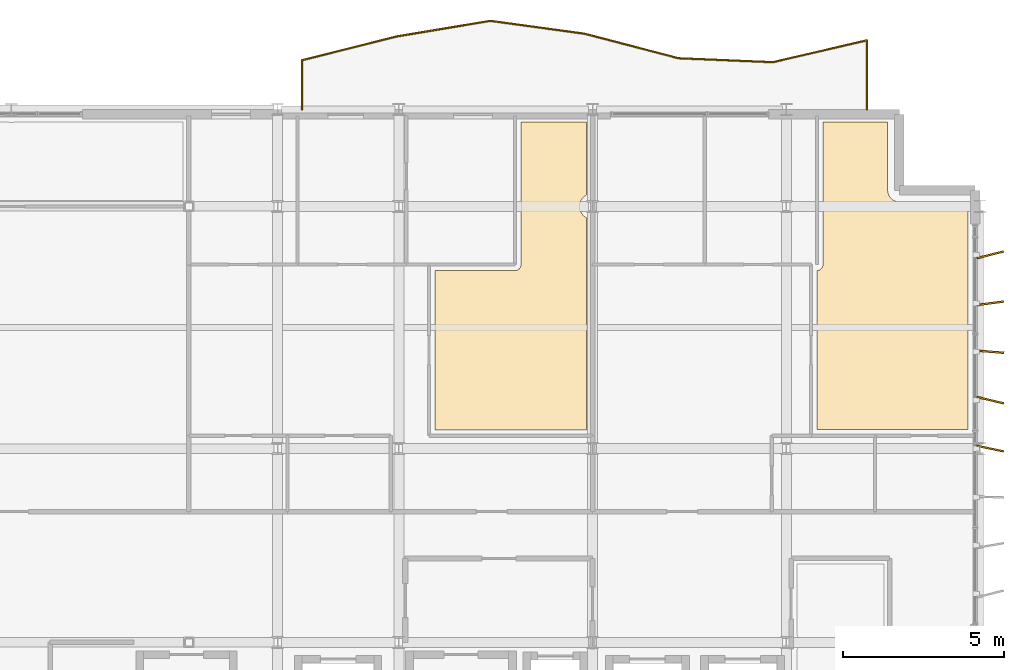
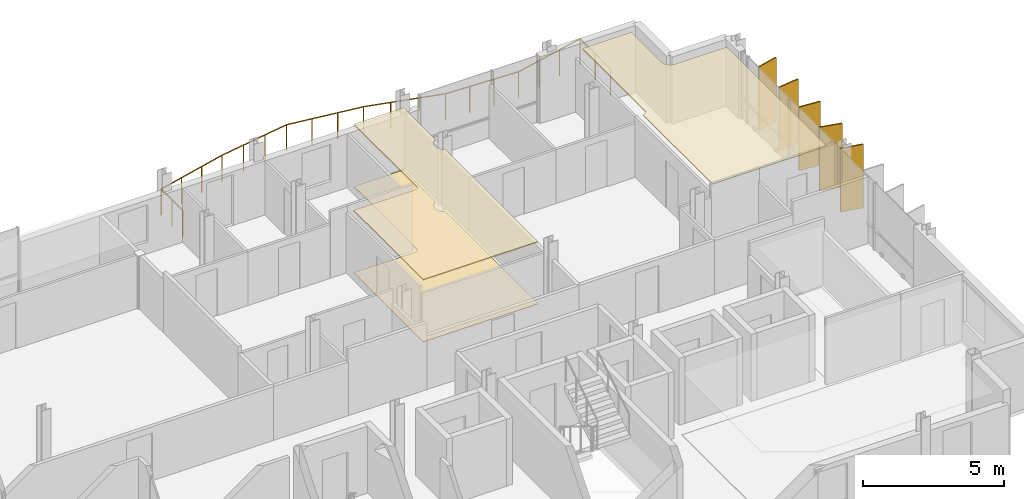
# One storey, part 35 of 35: 5 shading devices, 3 coverings, 1 railing.
"""IFC4 building model written with IfcOpenShell, lengths in metres."""

import ifcopenshell
import ifcopenshell.guid

model = None  # the IFC model being written
_history = None  # IfcOwnerHistory: only IFC2X3 demands one
_inside = {}  # id of a spatial element -> (the spatial element, [elements in it])
_under = {}  # id of a project, library or spatial element -> (it, [spatial elements below it])
_declared = {}  # id of a project -> (the project, [libraries it declares])
_typed = {}  # id of a type object -> (the type object, [elements of that type])
_made_of = {}  # id of a material, layer set ... -> (it, [elements and type objects made of it])


def new_model(schema):
    """Start an empty IFC model of exactly this schema.

    Asked for "IFC4X3", IfcOpenShell would pick the latest addendum, in which some entities
    have other attributes; the version numbers below select the first issue.
    IFC2X3 requires an IfcOwnerHistory on every rooted entity: one is made here for all.
    """
    global model, _history
    if schema == "IFC4X3":
        model = ifcopenshell.file(schema_version=(4, 3, 0, 0))
    else:
        model = ifcopenshell.file(schema=schema)
    _inside.clear()
    _under.clear()
    _declared.clear()
    _typed.clear()
    _made_of.clear()
    _history = None
    if model.schema == "IFC2X3":
        org = make("IfcOrganization", Name="unknown")
        user = make(
            "IfcPersonAndOrganization",
            ThePerson=make("IfcPerson", FamilyName="unknown"),
            TheOrganization=org,
        )
        app = make(
            "IfcApplication",
            ApplicationDeveloper=org,
            Version="unknown",
            ApplicationFullName="unknown",
            ApplicationIdentifier="unknown",
        )
        _history = make(
            "IfcOwnerHistory",
            OwningUser=user,
            OwningApplication=app,
            ChangeAction="ADDED",
            CreationDate=0,
        )
    return model


def make(cls, **values):
    """One entity of the class cls with the attributes given. An attribute that is None is left unset."""
    return model.create_entity(
        cls, **{name: value for name, value in values.items() if value is not None}
    )


def rooted(cls, **values):
    """An entity with a GlobalId (a new one), such as an element, a storey or a relation."""
    return make(cls, GlobalId=ifcopenshell.guid.new(), OwnerHistory=_history, **values)


def si_unit(unit_type, name, prefix=None):
    """IfcSIUnit, for example si_unit("LENGTHUNIT", "METRE", prefix="MILLI")."""
    return make("IfcSIUnit", UnitType=unit_type, Prefix=prefix, Name=name)


def assignment(units):
    """IfcUnitAssignment: the units of a project."""
    return None if units is None else make("IfcUnitAssignment", Units=units)


def point(xyz):
    """IfcCartesianPoint."""
    return None if xyz is None else make("IfcCartesianPoint", Coordinates=xyz)


def direction(xyz):
    """IfcDirection."""
    return None if xyz is None else make("IfcDirection", DirectionRatios=xyz)


def frame(location, z_axis=None, x_axis=None):
    """IfcAxis2Placement3D, a coordinate frame: its origin and axes. An axis left out is left unset."""
    return make(
        "IfcAxis2Placement3D",
        Location=point(location),
        Axis=direction(z_axis),
        RefDirection=direction(x_axis),
    )


def frame_2d(location, x_axis=None):
    """IfcAxis2Placement2D, a coordinate frame in the plane: its origin and x axis."""
    return make(
        "IfcAxis2Placement2D", Location=point(location), RefDirection=direction(x_axis)
    )


def origin():
    """The frame at (0, 0, 0) with its axes left unset."""
    return frame((0.0, 0.0, 0.0))


def origin_2d():
    """The frame at (0, 0) in the plane with its x axis left unset."""
    return frame_2d((0.0, 0.0))


def place(relative_to, where):
    """IfcLocalPlacement: puts the frame where relative to a parent placement (None: the world)."""
    return make(
        "IfcLocalPlacement", PlacementRelTo=relative_to, RelativePlacement=where
    )


def context(
    kind, dimensions, precision=None, world=None, true_north=None, identifier=None
):
    """IfcGeometricRepresentationContext, for example the 3D "Model" context."""
    return make(
        "IfcGeometricRepresentationContext",
        ContextIdentifier=identifier,
        ContextType=kind,
        CoordinateSpaceDimension=dimensions,
        Precision=precision,
        WorldCoordinateSystem=world,
        TrueNorth=true_north,
    )


def subcontext(parent, identifier, kind, view, scale=None):
    """IfcGeometricRepresentationSubContext, for example "Body" below "Model"."""
    return make(
        "IfcGeometricRepresentationSubContext",
        ContextIdentifier=identifier,
        ContextType=kind,
        ParentContext=parent,
        TargetScale=scale,
        TargetView=view,
    )


def project(units=None, contexts=None):
    """IfcProject with its units and contexts."""
    return rooted(
        "IfcProject",
        Name="project",
        RepresentationContexts=contexts,
        UnitsInContext=assignment(units),
    )


def spatial(cls, under=None, at=None, **own):
    """A site, building, storey or space (cls), placed at a placement, below another one or the project."""
    s = rooted(cls, ObjectPlacement=at, **own)
    if under is not None:
        _under.setdefault(under.id(), (under, []))[1].append(s)
    return s


def polyline(points):
    """IfcPolyline through the points."""
    return make("IfcPolyline", Points=[point(p) for p in points])


def profile(cls, at=None, kind="AREA", **sizes):
    """A parametric profile (cls). Its sizes go by their IFC names, for example OverallWidth=200.0."""
    return make(cls, ProfileType=kind, Position=at, **sizes)


def rectangle(**sizes):
    """IfcRectangleProfileDef."""
    return profile("IfcRectangleProfileDef", **sizes)


def circle(**sizes):
    """IfcCircleProfileDef."""
    return profile("IfcCircleProfileDef", **sizes)


def outline(outer, holes=None, kind="AREA"):
    """IfcArbitraryClosedProfileDef: a profile drawn as a closed curve; with holes, ...WithVoids."""
    if holes is None:
        return make("IfcArbitraryClosedProfileDef", ProfileType=kind, OuterCurve=outer)
    return make(
        "IfcArbitraryProfileDefWithVoids",
        ProfileType=kind,
        OuterCurve=outer,
        InnerCurves=holes,
    )


def extrude(swept, where, along, depth):
    """IfcExtrudedAreaSolid: the profile swept, set in the frame where, extruded along a direction by depth."""
    return make(
        "IfcExtrudedAreaSolid",
        SweptArea=swept,
        Position=where,
        ExtrudedDirection=direction(along),
        Depth=depth,
    )


def shape(context_of_items, identifier, shape_type, items):
    """IfcShapeRepresentation: the items that make up one representation, for example the "Body"."""
    return make(
        "IfcShapeRepresentation",
        ContextOfItems=context_of_items,
        RepresentationIdentifier=identifier,
        RepresentationType=shape_type,
        Items=items,
    )


def material(Name=None, Category=None):
    """IfcMaterial."""
    return make("IfcMaterial", Name=Name, Category=Category)


def layer(
    of_material, thickness, ventilated=None, Name=None, Category=None, Priority=None
):
    """IfcMaterialLayer: one layer of a wall or slab, of a material (None: an air gap)."""
    return make(
        "IfcMaterialLayer",
        Material=of_material,
        LayerThickness=thickness,
        IsVentilated=ventilated,
        Name=Name,
        Category=Category,
        Priority=Priority,
    )


def layer_set(layers, Name=None):
    """IfcMaterialLayerSet."""
    return make("IfcMaterialLayerSet", MaterialLayers=layers, LayerSetName=Name)


def made_of(thing, what):
    """Note that an element or type object is made of a material, layer set ...; save() writes the relation."""
    if what is not None:
        _made_of.setdefault(what.id(), (what, []))[1].append(thing)
    return thing


def type_object(cls, material=None, **own):
    """A type object (cls), such as IfcWallType, which elements share."""
    return made_of(rooted(cls, **own), material)


def element(
    cls,
    number,
    at=None,
    inside=None,
    cuts=None,
    type_object=None,
    material=None,
    context=None,
    identifier="Body",
    shape_type=None,
    held_by="IfcProductDefinitionShape",
    body=None,
    shapes=None,
    **own,
):
    """One element of the class cls, such as IfcWall. Its Tag is "e" and its number.

    at: its placement. inside: the storey or other place that contains it. cuts: it is an
    opening in that element (IfcRelVoidsElement). A single representation is given by context,
    identifier, shape_type and body (its items); several are given by shapes. held_by: the class
    of the entity that holds the representations. save() writes the other relations.
    """
    e = rooted(cls, Tag="e%d" % number, ObjectPlacement=at, **own)
    if body is not None:
        shapes = [shape(context, identifier, shape_type, body)]
    if shapes is not None:
        e.Representation = make(held_by, Representations=shapes)
    if inside is not None:
        _inside.setdefault(inside.id(), (inside, []))[1].append(e)
    if cuts is not None:
        rooted(
            "IfcRelVoidsElement", RelatingBuildingElement=cuts, RelatedOpeningElement=e
        )
    if type_object is not None:
        _typed.setdefault(type_object.id(), (type_object, []))[1].append(e)
    return made_of(e, material)


def aggregate(whole, parts):
    """IfcRelAggregates: a whole, such as a stair, and the parts it consists of."""
    return rooted("IfcRelAggregates", RelatingObject=whole, RelatedObjects=parts)


def save(model, path):
    """Write the relations noted so far, then the file.

    IfcRelAggregates (storeys below a building ...), IfcRelContainedInSpatialStructure (elements
    in a storey), IfcRelDefinesByType, IfcRelAssociatesMaterial and IfcRelDeclares: one each for
    every whole, place, type object, material and project.
    """
    for whole, parts in _under.values():
        aggregate(whole, parts)
    for where, things in _inside.values():
        rooted(
            "IfcRelContainedInSpatialStructure",
            RelatedElements=things,
            RelatingStructure=where,
        )
    for kind, things in _typed.values():
        rooted("IfcRelDefinesByType", RelatedObjects=things, RelatingType=kind)
    for what, things in _made_of.values():
        rooted("IfcRelAssociatesMaterial", RelatedObjects=things, RelatingMaterial=what)
    for by, libraries in _declared.values():
        rooted("IfcRelDeclares", RelatingContext=by, RelatedDefinitions=libraries)
    model.write(path)


model = new_model("IFC4")

# Units and contexts
model_context = context("Model", 3, precision=1e-05, world=origin(), true_north=direction((0.0, 1.0)))
body_context = subcontext(model_context, "Body", "Model", "MODEL_VIEW")
ifc_project = project(units=[si_unit("LENGTHUNIT", "METRE"), si_unit("AREAUNIT", "SQUARE_METRE"), si_unit("VOLUMEUNIT", "CUBIC_METRE"), si_unit("PLANEANGLEUNIT", "RADIAN"), si_unit("MASSUNIT", "GRAM", prefix="KILO")], contexts=[model_context])

# Site, building, storey
site_placement = place(None, origin())
site = spatial("IfcSite", under=ifc_project, at=site_placement, CompositionType="ELEMENT")
building_placement = place(site_placement, origin())
building = spatial("IfcBuilding", under=site, at=building_placement, Name="Brevholm Reach", CompositionType="ELEMENT")
storey_placement = place(building_placement, frame((0.0, 0.0, 218.0)))
storey = spatial("IfcBuildingStorey", under=building, at=storey_placement, Name="L66", CompositionType="ELEMENT", Elevation=218.0)

# Coverings
ifc_material_1 = material(Name="Perforated Mineral-Fibre Class-A Acoustic Suspended Ceiling", Category="gypsum")
ifc_layer_1 = layer(ifc_material_1, 0.044921875)
ifc_layer_set_1 = layer_set([ifc_layer_1], Name="Perforated Mineral-Fibre Class-A Acoustic Suspended Ceiling")
covering_type_1 = type_object("IfcCoveringType", Name="COV-CLG-AC", PredefinedType="CEILING", material=ifc_layer_set_1)
covering_1_placement = place(storey_placement, frame((0.0, 0.0, 2.675048828125)))
element("IfcCovering", 1, at=covering_1_placement, inside=storey, type_object=covering_type_1, Name="L66 Suspended Ceiling L66-53", PredefinedType="CEILING", context=body_context, shape_type="SweptSolid", body=[
    extrude(outline(polyline([(43.114990234375, 21.51611328125), (45.60400390625, 21.51708984375), (45.62158203125, 21.51806640625), (45.638916015625, 21.520751953125), (45.656005859375, 21.52490234375), (45.672607421875, 21.531005859375), (45.688720703125, 21.53857421875), (45.703857421875, 21.547607421875), (45.718017578125, 21.55810546875), (45.731201171875, 21.56982421875), (45.742919921875, 21.5830078125), (45.75341796875, 21.59716796875), (45.762451171875, 21.6123046875), (45.77001953125, 21.62841796875), (45.77587890625, 21.64501953125), (45.7802734375, 21.662109375), (45.782958984375, 21.679443359375), (45.78369140625, 21.697265625), (45.784912109375, 26.1201171875), (47.820068359375, 26.1201171875), (47.820068359375, 23.856689453125), (47.811279296875, 23.852783203125), (47.77783203125, 23.83251953125), (47.74609375, 23.80908203125), (47.71728515625, 23.78271484375), (47.69091796875, 23.75390625), (47.66748046875, 23.72216796875), (47.647216796875, 23.688720703125), (47.63037109375, 23.653076171875), (47.6171875, 23.6162109375), (47.607666015625, 23.577880859375), (47.601806640625, 23.539306640625), (47.60009765625, 23.5), (47.601806640625, 23.460693359375), (47.607666015625, 23.422119140625), (47.6171875, 23.3837890625), (47.63037109375, 23.346923828125), (47.647216796875, 23.311279296875), (47.66748046875, 23.27783203125), (47.69091796875, 23.24609375), (47.71728515625, 23.21728515625), (47.74609375, 23.19091796875), (47.77783203125, 23.16748046875), (47.811279296875, 23.147216796875), (47.820068359375, 23.143310546875), (47.820068359375, 16.580078125), (43.114990234375, 16.580078125), (43.114990234375, 21.51611328125)])), origin(), (0.0, 0.0, 1.0), 0.044921875),
])
covering_2_placement = place(storey_placement, frame((0.0, 0.0, 2.675048828125)))
element("IfcCovering", 2, at=covering_2_placement, inside=storey, type_object=covering_type_1, Name="L66 Suspended Ceiling L66-59", PredefinedType="CEILING", context=body_context, shape_type="SweptSolid", body=[
    extrude(outline(polyline([(54.946044921875, 21.51611328125), (54.949951171875, 21.51611328125), (54.967529296875, 21.516845703125), (54.985107421875, 21.51953125), (55.002197265625, 21.523681640625), (55.018798828125, 21.52978515625), (55.034912109375, 21.537353515625), (55.050048828125, 21.54638671875), (55.064208984375, 21.556884765625), (55.077392578125, 21.568603515625), (55.081298828125, 21.57275390625), (55.093017578125, 21.585693359375), (55.103759765625, 21.60009765625), (55.11279296875, 21.614990234375), (55.120361328125, 21.631103515625), (55.126220703125, 21.647705078125), (55.130615234375, 21.664794921875), (55.133056640625, 21.682373046875), (55.134033203125, 21.699951171875), (55.134033203125, 26.1201171875), (57.139892578125, 26.1201171875), (57.139892578125, 24.0), (57.140869140625, 23.982177734375), (57.144287109375, 23.947021484375), (57.14697265625, 23.9296875), (57.151123046875, 23.912841796875), (57.161376953125, 23.879150390625), (57.167236328125, 23.8623046875), (57.1748046875, 23.84619140625), (57.19140625, 23.815185546875), (57.20068359375, 23.800048828125), (57.211181640625, 23.785888671875), (57.2333984375, 23.758544921875), (57.245361328125, 23.745361328125), (57.258544921875, 23.7333984375), (57.285888671875, 23.711181640625), (57.300048828125, 23.70068359375), (57.315185546875, 23.69140625), (57.34619140625, 23.6748046875), (57.3623046875, 23.667236328125), (57.379150390625, 23.661376953125), (57.412841796875, 23.651123046875), (57.4296875, 23.64697265625), (57.447021484375, 23.644287109375), (57.482177734375, 23.640869140625), (57.5, 23.639892578125), (59.6201171875, 23.639892578125), (59.6201171875, 23.623779296875), (59.6171875, 23.6162109375), (59.607666015625, 23.577880859375), (59.601806640625, 23.539306640625), (59.60009765625, 23.5), (59.601806640625, 23.460693359375), (59.607666015625, 23.422119140625), (59.6171875, 23.3837890625), (59.6201171875, 23.376220703125), (59.6201171875, 16.583984375), (54.946044921875, 16.583984375), (54.946044921875, 21.51611328125)])), origin(), (0.0, 0.0, 1.0), 0.044921875),
])
ifc_material_2 = material(Name="Engineered European Oak Acoustic Plank Flooring", Category="timber")
ifc_layer_2 = layer(ifc_material_2, 0.02197265625)
ifc_layer_set_2 = layer_set([ifc_layer_2], Name="Engineered European Oak Acoustic Plank Flooring")
covering_type_2 = type_object("IfcCoveringType", Name="COV-FLR-OAK", PredefinedType="FLOORING", material=ifc_layer_set_2)
covering_3_placement = place(storey_placement, origin())
element("IfcCovering", 3, at=covering_3_placement, inside=storey, type_object=covering_type_2, Name="L66 Floor Finish L66-53", PredefinedType="FLOORING", context=body_context, shape_type="SweptSolid", body=[
    extrude(outline(polyline([(43.114990234375, 21.51611328125), (45.60400390625, 21.51708984375), (45.62158203125, 21.51806640625), (45.638916015625, 21.520751953125), (45.656005859375, 21.52490234375), (45.672607421875, 21.531005859375), (45.688720703125, 21.53857421875), (45.703857421875, 21.547607421875), (45.718017578125, 21.55810546875), (45.731201171875, 21.56982421875), (45.742919921875, 21.5830078125), (45.75341796875, 21.59716796875), (45.762451171875, 21.6123046875), (45.77001953125, 21.62841796875), (45.77587890625, 21.64501953125), (45.7802734375, 21.662109375), (45.782958984375, 21.679443359375), (45.78369140625, 21.697265625), (45.784912109375, 26.1201171875), (47.820068359375, 26.1201171875), (47.820068359375, 23.856689453125), (47.811279296875, 23.852783203125), (47.77783203125, 23.83251953125), (47.74609375, 23.80908203125), (47.71728515625, 23.78271484375), (47.69091796875, 23.75390625), (47.66748046875, 23.72216796875), (47.647216796875, 23.688720703125), (47.63037109375, 23.653076171875), (47.6171875, 23.6162109375), (47.607666015625, 23.577880859375), (47.601806640625, 23.539306640625), (47.60009765625, 23.5), (47.601806640625, 23.460693359375), (47.607666015625, 23.422119140625), (47.6171875, 23.3837890625), (47.63037109375, 23.346923828125), (47.647216796875, 23.311279296875), (47.66748046875, 23.27783203125), (47.69091796875, 23.24609375), (47.71728515625, 23.21728515625), (47.74609375, 23.19091796875), (47.77783203125, 23.16748046875), (47.811279296875, 23.147216796875), (47.820068359375, 23.143310546875), (47.820068359375, 16.580078125), (43.114990234375, 16.580078125), (43.114990234375, 21.51611328125)])), origin(), (0.0, 0.0, 1.0), 0.02197265625),
])

# Railing
ifc_material_3 = material(Name="Brushed Stainless Steel EN 1.4401 and Laminated Glass", Category="steel")
railing_type = type_object("IfcRailingType", Name="RAL-BALC-1150", PredefinedType="BALUSTRADE", material=ifc_material_3)
railing_placement = place(storey_placement, frame((56.5, 26.5, 0.0)))
element("IfcRailing", 4, at=railing_placement, inside=storey, type_object=railing_type, Name="L66 Guard Balustrade RAL-L66-BAL-NE", PredefinedType="BALUSTRADE", context=body_context, shape_type="SweptSolid", body=[
    extrude(circle(Radius=0.02392578125, at=origin_2d()), frame((0.0, 0.0, 1.1259765625), z_axis=(0.0, 1.0, 0.0), x_axis=(-1.0, 0.0, 0.0)), (0.0, 0.0, 1.0), 2.1455078125),
    extrude(circle(Radius=0.02392578125, at=origin_2d()), frame((0.0, 2.1455078125, 1.1259765625), z_axis=(-0.974086615793, -0.226175296912, 0.0), x_axis=(0.226175296912, -0.974086615793, 0.0)), (0.0, 0.0, 1.0), 2.994384765625),
    extrude(circle(Radius=0.02392578125, at=origin_2d()), frame((-2.916748046875, 1.46826171875, 1.1259765625), z_axis=(-0.999139150441, 0.041484431493, 0.0), x_axis=(-0.041484431493, -0.999139150441, 0.0)), (0.0, 0.0, 1.0), 2.9189453125),
    extrude(circle(Radius=0.02392578125, at=origin_2d()), frame((-5.833251953125, 1.58935546875, 1.1259765625), z_axis=(-0.967668860758, 0.252224058961, 0.0), x_axis=(-0.252224058961, -0.967668860758, 0.0)), (0.0, 0.0, 1.0), 3.01416015625),
    extrude(circle(Radius=0.02392578125, at=origin_2d()), frame((-8.75, 2.349609375, 1.1259765625), z_axis=(-0.990787222307, 0.135427767141, 0.0), x_axis=(-0.135427767141, -0.990787222307, 0.0)), (0.0, 0.0, 1.0), 2.94384765625),
    extrude(circle(Radius=0.02392578125, at=origin_2d()), frame((-11.666748046875, 2.748291015625, 1.1259765625), z_axis=(-0.986326897089, -0.164800643445, 0.0), x_axis=(0.164800643445, -0.986326897089, 0.0)), (0.0, 0.0, 1.0), 2.95703125),
    extrude(circle(Radius=0.02392578125, at=origin_2d()), frame((-14.583251953125, 2.260986328125, 1.1259765625), z_axis=(-0.969908046993, -0.243471518618, 0.0), x_axis=(0.243471518618, -0.969908046993, 0.0)), (0.0, 0.0, 1.0), 3.00732421875),
    extrude(circle(Radius=0.02392578125, at=origin_2d()), frame((-17.5, 1.52880859375, 1.1259765625), z_axis=(0.0, -1.0, 0.0), x_axis=(1.0, 0.0, 0.0)), (0.0, 0.0, 1.0), 1.52880859375),
    extrude(circle(Radius=0.02099609375, at=origin_2d()), origin(), (0.0, 0.0, 1.0), 1.101806640625),
    extrude(circle(Radius=0.02099609375, at=origin_2d()), frame((0.0, 1.07275390625, 0.0)), (0.0, 0.0, 1.0), 1.101806640625),
    extrude(circle(Radius=0.02099609375, at=origin_2d()), frame((0.0, 2.1455078125, 0.0)), (0.0, 0.0, 1.0), 1.101806640625),
    extrude(circle(Radius=0.02099609375, at=origin_2d()), frame((-0.97216796875, 1.919677734375, 0.0)), (0.0, 0.0, 1.0), 1.101806640625),
    extrude(circle(Radius=0.02099609375, at=origin_2d()), frame((-1.944580078125, 1.694091796875, 0.0)), (0.0, 0.0, 1.0), 1.101806640625),
    extrude(circle(Radius=0.02099609375, at=origin_2d()), frame((-2.916748046875, 1.46826171875, 0.0)), (0.0, 0.0, 1.0), 1.101806640625),
    extrude(circle(Radius=0.02099609375, at=origin_2d()), frame((-3.888916015625, 1.508544921875, 0.0)), (0.0, 0.0, 1.0), 1.101806640625),
    extrude(circle(Radius=0.02099609375, at=origin_2d()), frame((-4.861083984375, 1.549072265625, 0.0)), (0.0, 0.0, 1.0), 1.101806640625),
    extrude(circle(Radius=0.02099609375, at=origin_2d()), frame((-5.833251953125, 1.58935546875, 0.0)), (0.0, 0.0, 1.0), 1.101806640625),
    extrude(circle(Radius=0.02099609375, at=origin_2d()), frame((-6.805419921875, 1.8427734375, 0.0)), (0.0, 0.0, 1.0), 1.101806640625),
    extrude(circle(Radius=0.02099609375, at=origin_2d()), frame((-7.77783203125, 2.09619140625, 0.0)), (0.0, 0.0, 1.0), 1.101806640625),
    extrude(circle(Radius=0.02099609375, at=origin_2d()), frame((-8.75, 2.349609375, 0.0)), (0.0, 0.0, 1.0), 1.101806640625),
    extrude(circle(Radius=0.02099609375, at=origin_2d()), frame((-9.72216796875, 2.482421875, 0.0)), (0.0, 0.0, 1.0), 1.101806640625),
    extrude(circle(Radius=0.02099609375, at=origin_2d()), frame((-10.694580078125, 2.615478515625, 0.0)), (0.0, 0.0, 1.0), 1.101806640625),
    extrude(circle(Radius=0.02099609375, at=origin_2d()), frame((-11.666748046875, 2.748291015625, 0.0)), (0.0, 0.0, 1.0), 1.101806640625),
    extrude(circle(Radius=0.02099609375, at=origin_2d()), frame((-12.638916015625, 2.5859375, 0.0)), (0.0, 0.0, 1.0), 1.101806640625),
    extrude(circle(Radius=0.02099609375, at=origin_2d()), frame((-13.611083984375, 2.42333984375, 0.0)), (0.0, 0.0, 1.0), 1.101806640625),
    extrude(circle(Radius=0.02099609375, at=origin_2d()), frame((-14.583251953125, 2.260986328125, 0.0)), (0.0, 0.0, 1.0), 1.101806640625),
    extrude(circle(Radius=0.02099609375, at=origin_2d()), frame((-15.555419921875, 2.016845703125, 0.0)), (0.0, 0.0, 1.0), 1.101806640625),
    extrude(circle(Radius=0.02099609375, at=origin_2d()), frame((-16.52783203125, 1.77294921875, 0.0)), (0.0, 0.0, 1.0), 1.101806640625),
    extrude(circle(Radius=0.02099609375, at=origin_2d()), frame((-17.5, 1.52880859375, 0.0)), (0.0, 0.0, 1.0), 1.101806640625),
    extrude(circle(Radius=0.02099609375, at=origin_2d()), frame((-17.5, 0.764404296875, 0.0)), (0.0, 0.0, 1.0), 1.101806640625),
    extrude(circle(Radius=0.02099609375, at=origin_2d()), frame((-17.5, 0.0, 0.0)), (0.0, 0.0, 1.0), 1.101806640625),
])

# Shading devices
ifc_material_4 = material(Name="Perforated Champagne-Bronze Anodised Aluminium", Category="aluminium")
ifc_layer_3 = layer(ifc_material_4, 0.054931640625)
ifc_layer_set_3 = layer_set([ifc_layer_3], Name="Perforated Champagne-Bronze Anodised Aluminium")
shading_device_type = type_object("IfcShadingDeviceType", Name="SHD-FIN-850", PredefinedType="USERDEFINED", material=ifc_layer_set_3)
for number, where, z_axis, x_axis, name in (
    (5, (60.31494140625, 16.0, 0.070068359375), (0.0, 0.0, 1.0), (0.97866705, -0.205452683711, 0.0), "L66 Perforated Solar Screen Fin 4"),
    (6, (60.31494140625, 17.5, 0.070068359375), (0.0, 0.0, 1.0), (0.973527066645, -0.228571762277, 0.0), "L66 Perforated Solar Screen Fin 5"),
    (7, (60.31494140625, 19.0, 0.070068359375), (0.0, 0.0, 1.0), (0.996749417064, -0.080564257474, 0.0), "L66 Perforated Solar Screen Fin 6"),
    (8, (60.31494140625, 20.5, 0.070068359375), (0.0, 0.0, 1.0), (0.991556126274, 0.129678249709, 0.0), "L66 Perforated Solar Screen Fin 7"),
    (9, (60.31494140625, 22.0, 0.070068359375), (0.0, 0.0, 1.0), (0.970666147045, 0.240431343591, 0.0), "L66 Perforated Solar Screen Fin 8"),
):
    element("IfcShadingDevice", number, at=place(storey_placement, frame(where, z_axis=z_axis, x_axis=x_axis)), inside=storey, type_object=shading_device_type, Name=name, ObjectType="SCREEN", PredefinedType="USERDEFINED", context=body_context, shape_type="SweptSolid", body=[
        extrude(rectangle(XDim=0.85009765625, YDim=0.054931640625, at=origin_2d()), origin(), (0.0, 0.0, 1.0), 2.75),
    ])

save(model, "model.ifc")
